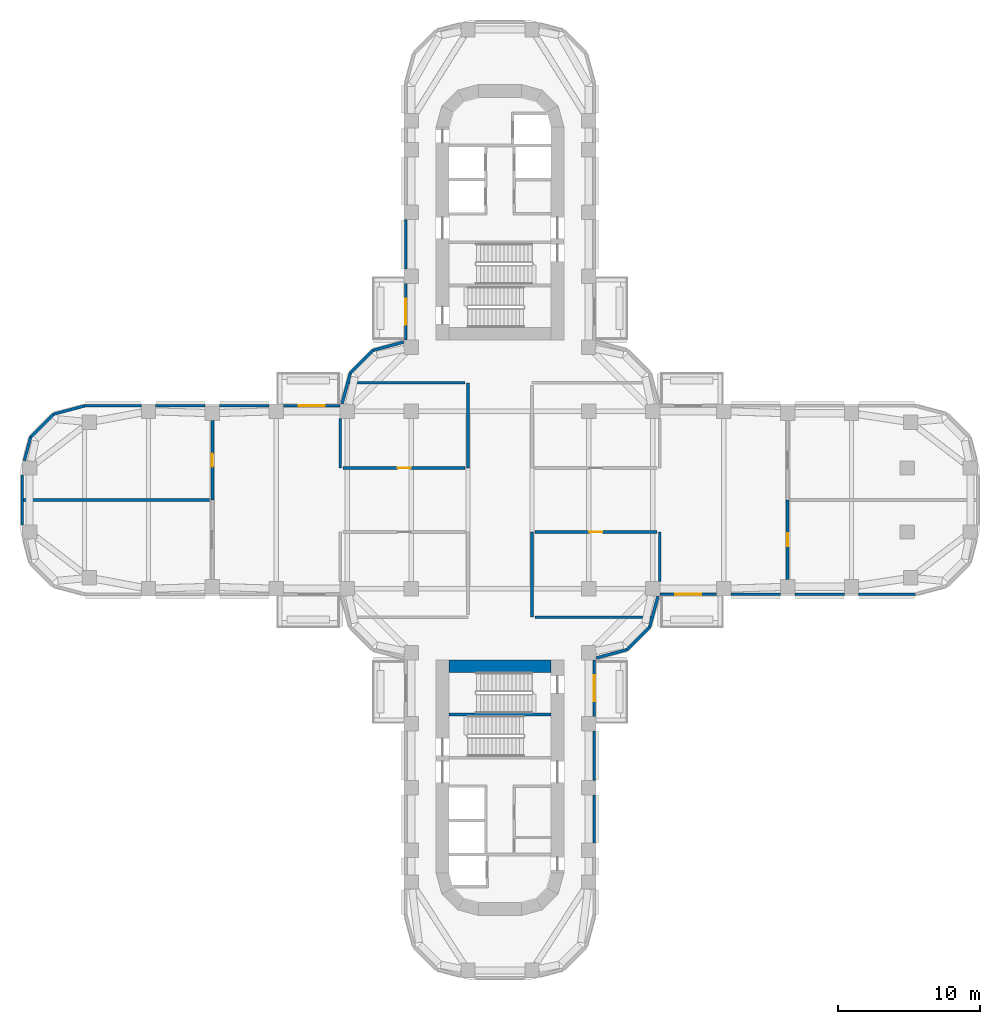
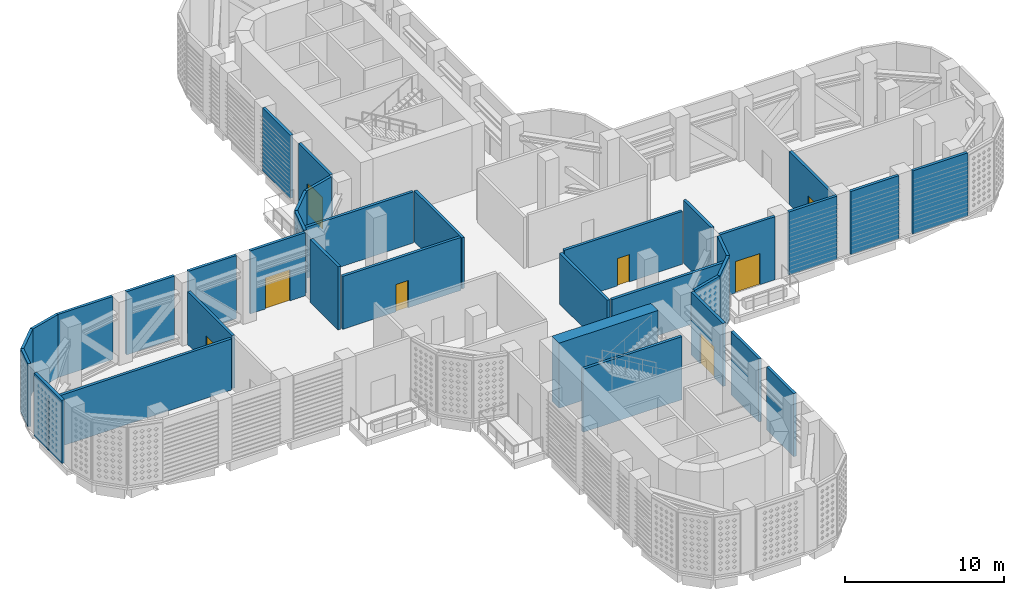
# One storey, part 6 of 20: 36 walls, 8 doors, 8 openings.
"""IFC4 building model written with IfcOpenShell, lengths in metres."""

import ifcopenshell
import ifcopenshell.guid

model = None  # the IFC model being written
_history = None  # IfcOwnerHistory: only IFC2X3 demands one
_inside = {}  # id of a spatial element -> (the spatial element, [elements in it])
_under = {}  # id of a project, library or spatial element -> (it, [spatial elements below it])
_declared = {}  # id of a project -> (the project, [libraries it declares])
_typed = {}  # id of a type object -> (the type object, [elements of that type])
_made_of = {}  # id of a material, layer set ... -> (it, [elements and type objects made of it])


def new_model(schema):
    """Start an empty IFC model of exactly this schema.

    Asked for "IFC4X3", IfcOpenShell would pick the latest addendum, in which some entities
    have other attributes; the version numbers below select the first issue.
    IFC2X3 requires an IfcOwnerHistory on every rooted entity: one is made here for all.
    """
    global model, _history
    if schema == "IFC4X3":
        model = ifcopenshell.file(schema_version=(4, 3, 0, 0))
    else:
        model = ifcopenshell.file(schema=schema)
    _inside.clear()
    _under.clear()
    _declared.clear()
    _typed.clear()
    _made_of.clear()
    _history = None
    if model.schema == "IFC2X3":
        org = make("IfcOrganization", Name="unknown")
        user = make(
            "IfcPersonAndOrganization",
            ThePerson=make("IfcPerson", FamilyName="unknown"),
            TheOrganization=org,
        )
        app = make(
            "IfcApplication",
            ApplicationDeveloper=org,
            Version="unknown",
            ApplicationFullName="unknown",
            ApplicationIdentifier="unknown",
        )
        _history = make(
            "IfcOwnerHistory",
            OwningUser=user,
            OwningApplication=app,
            ChangeAction="ADDED",
            CreationDate=0,
        )
    return model


def make(cls, **values):
    """One entity of the class cls with the attributes given. An attribute that is None is left unset."""
    return model.create_entity(
        cls, **{name: value for name, value in values.items() if value is not None}
    )


def rooted(cls, **values):
    """An entity with a GlobalId (a new one), such as an element, a storey or a relation."""
    return make(cls, GlobalId=ifcopenshell.guid.new(), OwnerHistory=_history, **values)


def si_unit(unit_type, name, prefix=None):
    """IfcSIUnit, for example si_unit("LENGTHUNIT", "METRE", prefix="MILLI")."""
    return make("IfcSIUnit", UnitType=unit_type, Prefix=prefix, Name=name)


def assignment(units):
    """IfcUnitAssignment: the units of a project."""
    return None if units is None else make("IfcUnitAssignment", Units=units)


def point(xyz):
    """IfcCartesianPoint."""
    return None if xyz is None else make("IfcCartesianPoint", Coordinates=xyz)


def direction(xyz):
    """IfcDirection."""
    return None if xyz is None else make("IfcDirection", DirectionRatios=xyz)


def frame(location, z_axis=None, x_axis=None):
    """IfcAxis2Placement3D, a coordinate frame: its origin and axes. An axis left out is left unset."""
    return make(
        "IfcAxis2Placement3D",
        Location=point(location),
        Axis=direction(z_axis),
        RefDirection=direction(x_axis),
    )


def frame_2d(location, x_axis=None):
    """IfcAxis2Placement2D, a coordinate frame in the plane: its origin and x axis."""
    return make(
        "IfcAxis2Placement2D", Location=point(location), RefDirection=direction(x_axis)
    )


def origin():
    """The frame at (0, 0, 0) with its axes left unset."""
    return frame((0.0, 0.0, 0.0))


def place(relative_to, where):
    """IfcLocalPlacement: puts the frame where relative to a parent placement (None: the world)."""
    return make(
        "IfcLocalPlacement", PlacementRelTo=relative_to, RelativePlacement=where
    )


def context(
    kind, dimensions, precision=None, world=None, true_north=None, identifier=None
):
    """IfcGeometricRepresentationContext, for example the 3D "Model" context."""
    return make(
        "IfcGeometricRepresentationContext",
        ContextIdentifier=identifier,
        ContextType=kind,
        CoordinateSpaceDimension=dimensions,
        Precision=precision,
        WorldCoordinateSystem=world,
        TrueNorth=true_north,
    )


def subcontext(parent, identifier, kind, view, scale=None):
    """IfcGeometricRepresentationSubContext, for example "Body" below "Model"."""
    return make(
        "IfcGeometricRepresentationSubContext",
        ContextIdentifier=identifier,
        ContextType=kind,
        ParentContext=parent,
        TargetScale=scale,
        TargetView=view,
    )


def project(units=None, contexts=None):
    """IfcProject with its units and contexts."""
    return rooted(
        "IfcProject",
        Name="project",
        RepresentationContexts=contexts,
        UnitsInContext=assignment(units),
    )


def spatial(cls, under=None, at=None, **own):
    """A site, building, storey or space (cls), placed at a placement, below another one or the project."""
    s = rooted(cls, ObjectPlacement=at, **own)
    if under is not None:
        _under.setdefault(under.id(), (under, []))[1].append(s)
    return s


def polyline(points):
    """IfcPolyline through the points."""
    return make("IfcPolyline", Points=[point(p) for p in points])


def profile(cls, at=None, kind="AREA", **sizes):
    """A parametric profile (cls). Its sizes go by their IFC names, for example OverallWidth=200.0."""
    return make(cls, ProfileType=kind, Position=at, **sizes)


def rectangle(**sizes):
    """IfcRectangleProfileDef."""
    return profile("IfcRectangleProfileDef", **sizes)


def outline(outer, holes=None, kind="AREA"):
    """IfcArbitraryClosedProfileDef: a profile drawn as a closed curve; with holes, ...WithVoids."""
    if holes is None:
        return make("IfcArbitraryClosedProfileDef", ProfileType=kind, OuterCurve=outer)
    return make(
        "IfcArbitraryProfileDefWithVoids",
        ProfileType=kind,
        OuterCurve=outer,
        InnerCurves=holes,
    )


def extrude(swept, where, along, depth):
    """IfcExtrudedAreaSolid: the profile swept, set in the frame where, extruded along a direction by depth."""
    return make(
        "IfcExtrudedAreaSolid",
        SweptArea=swept,
        Position=where,
        ExtrudedDirection=direction(along),
        Depth=depth,
    )


def shape(context_of_items, identifier, shape_type, items):
    """IfcShapeRepresentation: the items that make up one representation, for example the "Body"."""
    return make(
        "IfcShapeRepresentation",
        ContextOfItems=context_of_items,
        RepresentationIdentifier=identifier,
        RepresentationType=shape_type,
        Items=items,
    )


def material(Name=None, Category=None):
    """IfcMaterial."""
    return make("IfcMaterial", Name=Name, Category=Category)


def layer(
    of_material, thickness, ventilated=None, Name=None, Category=None, Priority=None
):
    """IfcMaterialLayer: one layer of a wall or slab, of a material (None: an air gap)."""
    return make(
        "IfcMaterialLayer",
        Material=of_material,
        LayerThickness=thickness,
        IsVentilated=ventilated,
        Name=Name,
        Category=Category,
        Priority=Priority,
    )


def layer_set(layers, Name=None):
    """IfcMaterialLayerSet."""
    return make("IfcMaterialLayerSet", MaterialLayers=layers, LayerSetName=Name)


def made_of(thing, what):
    """Note that an element or type object is made of a material, layer set ...; save() writes the relation."""
    if what is not None:
        _made_of.setdefault(what.id(), (what, []))[1].append(thing)
    return thing


def type_object(cls, material=None, **own):
    """A type object (cls), such as IfcWallType, which elements share."""
    return made_of(rooted(cls, **own), material)


def element(
    cls,
    number,
    at=None,
    inside=None,
    cuts=None,
    type_object=None,
    material=None,
    context=None,
    identifier="Body",
    shape_type=None,
    held_by="IfcProductDefinitionShape",
    body=None,
    shapes=None,
    **own,
):
    """One element of the class cls, such as IfcWall. Its Tag is "e" and its number.

    at: its placement. inside: the storey or other place that contains it. cuts: it is an
    opening in that element (IfcRelVoidsElement). A single representation is given by context,
    identifier, shape_type and body (its items); several are given by shapes. held_by: the class
    of the entity that holds the representations. save() writes the other relations.
    """
    e = rooted(cls, Tag="e%d" % number, ObjectPlacement=at, **own)
    if body is not None:
        shapes = [shape(context, identifier, shape_type, body)]
    if shapes is not None:
        e.Representation = make(held_by, Representations=shapes)
    if inside is not None:
        _inside.setdefault(inside.id(), (inside, []))[1].append(e)
    if cuts is not None:
        rooted(
            "IfcRelVoidsElement", RelatingBuildingElement=cuts, RelatedOpeningElement=e
        )
    if type_object is not None:
        _typed.setdefault(type_object.id(), (type_object, []))[1].append(e)
    return made_of(e, material)


def fill(opening, filler):
    """IfcRelFillsElement: the door or window that sits in an opening."""
    return rooted(
        "IfcRelFillsElement",
        RelatingOpeningElement=opening,
        RelatedBuildingElement=filler,
    )


def aggregate(whole, parts):
    """IfcRelAggregates: a whole, such as a stair, and the parts it consists of."""
    return rooted("IfcRelAggregates", RelatingObject=whole, RelatedObjects=parts)


def save(model, path):
    """Write the relations noted so far, then the file.

    IfcRelAggregates (storeys below a building ...), IfcRelContainedInSpatialStructure (elements
    in a storey), IfcRelDefinesByType, IfcRelAssociatesMaterial and IfcRelDeclares: one each for
    every whole, place, type object, material and project.
    """
    for whole, parts in _under.values():
        aggregate(whole, parts)
    for where, things in _inside.values():
        rooted(
            "IfcRelContainedInSpatialStructure",
            RelatedElements=things,
            RelatingStructure=where,
        )
    for kind, things in _typed.values():
        rooted("IfcRelDefinesByType", RelatedObjects=things, RelatingType=kind)
    for what, things in _made_of.values():
        rooted("IfcRelAssociatesMaterial", RelatedObjects=things, RelatingMaterial=what)
    for by, libraries in _declared.values():
        rooted("IfcRelDeclares", RelatingContext=by, RelatedDefinitions=libraries)
    model.write(path)


model = new_model("IFC4")

# Units and contexts
model_context = context("Model", 3, precision=1e-05, world=origin(), true_north=direction((0.0, 1.0)))
body_context = subcontext(model_context, "Body", "Model", "MODEL_VIEW")
ifc_project = project(units=[si_unit("LENGTHUNIT", "METRE"), si_unit("AREAUNIT", "SQUARE_METRE"), si_unit("VOLUMEUNIT", "CUBIC_METRE"), si_unit("PLANEANGLEUNIT", "RADIAN"), si_unit("MASSUNIT", "GRAM", prefix="KILO")], contexts=[model_context])

# Site, building, storey
site_placement = place(None, origin())
site = spatial("IfcSite", under=ifc_project, at=site_placement, CompositionType="ELEMENT")
building_placement = place(site_placement, origin())
building = spatial("IfcBuilding", under=site, at=building_placement, Name="Zarbagh Exchange Tower", CompositionType="ELEMENT")
storey_placement = place(building_placement, frame((0.0, 0.0, 81.60009765625)))
storey = spatial("IfcBuildingStorey", under=building, at=storey_placement, Name="L18", CompositionType="ELEMENT", Elevation=81.60009765625)

# Walls
ifc_material_1 = material(Name="Concrete block partition", Category="concrete")
ifc_layer_1 = layer(ifc_material_1, 0.199951171875)
ifc_layer_set_1 = layer_set([ifc_layer_1], Name="Fire-rated block partition 200 EI 120")
wall_type_1 = type_object("IfcWallType", Name="Fire-rated block partition 200 EI 120", PredefinedType="PARTITIONING", material=ifc_layer_set_1)
wall_1_placement = place(storey_placement, frame((-33.75, 0.0, 0.0), z_axis=(0.0, 0.0, 1.0), x_axis=(1.0, 0.0, 0.0)))
element("IfcWall", 1, at=wall_1_placement, inside=storey, type_object=wall_type_1, Name="WL-L18-W022", PredefinedType="PARTITIONING", context=body_context, shape_type="SweptSolid", body=[
    extrude(rectangle(XDim=13.300048828125, YDim=0.199951171875, at=frame_2d((6.64990234375, 0.0))), origin(), (0.0, 0.0, 1.0), 3.929931640625),
])
ifc_layer_2 = layer(ifc_material_1, 0.199951171875)
ifc_layer_set_2 = layer_set([ifc_layer_2], Name="Fire-rated block partition 200 EI 60")
wall_type_2 = type_object("IfcWallType", Name="Fire-rated block partition 200 EI 60", PredefinedType="PARTITIONING", material=ifc_layer_set_2)
wall_2_placement = place(storey_placement, frame((2.25, -2.25, 0.0), z_axis=(0.0, 0.0, 1.0), x_axis=(0.0, -1.0, 0.0)))
element("IfcWall", 2, at=wall_2_placement, inside=storey, type_object=wall_type_2, Name="WL-L18-W003", PredefinedType="PARTITIONING", context=body_context, shape_type="SweptSolid", body=[
    extrude(rectangle(XDim=6.0, YDim=0.199951171875, at=frame_2d((3.0, 0.0))), origin(), (0.0, 0.0, 1.0), 3.918212890625),
])
wall_3_placement = place(storey_placement, frame((2.449951171875, -8.25, 0.0), z_axis=(0.0, 0.0, 1.0), x_axis=(1.0, 0.0, 0.0)))
element("IfcWall", 3, at=wall_3_placement, inside=storey, type_object=wall_type_2, Name="WL-L18-W004", PredefinedType="PARTITIONING", context=body_context, shape_type="SweptSolid", body=[
    extrude(rectangle(XDim=8.398193359375, YDim=0.199951171875, at=frame_2d((4.19921875, 0.0))), origin(), (0.0, 0.0, 1.0), 3.929931640625),
])
wall_4_placement = place(storey_placement, frame((-2.25, 2.25, 0.0), z_axis=(0.0, 0.0, 1.0), x_axis=(0.0, 1.0, 0.0)))
element("IfcWall", 4, at=wall_4_placement, inside=storey, type_object=wall_type_2, Name="WL-L18-W005", PredefinedType="PARTITIONING", context=body_context, shape_type="SweptSolid", body=[
    extrude(rectangle(XDim=6.0, YDim=0.199951171875, at=frame_2d((3.0, 0.0))), origin(), (0.0, 0.0, 1.0), 3.918212890625),
])
wall_5_placement = place(storey_placement, frame((-2.449951171875, 8.25, 0.0), z_axis=(0.0, 0.0, 1.0), x_axis=(-1.0, 0.0, 0.0)))
element("IfcWall", 5, at=wall_5_placement, inside=storey, type_object=wall_type_2, Name="WL-L18-W006", PredefinedType="PARTITIONING", context=body_context, shape_type="SweptSolid", body=[
    extrude(rectangle(XDim=8.398193359375, YDim=0.199951171875, at=frame_2d((4.19921875, 0.0))), origin(), (0.0, 0.0, 1.0), 3.929931640625),
])
wall_6_placement = place(storey_placement, frame((11.25, -2.25, 0.0), z_axis=(0.0, 0.0, 1.0), x_axis=(0.0, -1.0, 0.0)))
element("IfcWall", 6, at=wall_6_placement, inside=storey, type_object=wall_type_2, Name="WL-L18-W011", PredefinedType="PARTITIONING", context=body_context, shape_type="SweptSolid", body=[
    extrude(rectangle(XDim=3.5, YDim=0.199951171875, at=frame_2d((1.75, 0.0))), origin(), (0.0, 0.0, 1.0), 4.849853515625),
])

# Wall, opening, door
wall_7_placement = place(storey_placement, frame((11.050048828125, -2.25, 0.0), z_axis=(0.0, 0.0, 1.0), x_axis=(-1.0, 0.0, 0.0)))
wall_7 = element("IfcWall", 7, at=wall_7_placement, inside=storey, type_object=wall_type_2, Name="WL-L18-W012", PredefinedType="PARTITIONING", context=body_context, shape_type="SweptSolid", body=[
    extrude(rectangle(XDim=8.60009765625, YDim=0.199951171875, at=frame_2d((4.300048828125, 0.0))), origin(), (0.0, 0.0, 1.0), 4.072998046875),
])
opening_1_placement = place(wall_7_placement, frame((3.85009765625, 0.0, 0.0)))
opening_1 = element("IfcOpeningElement", 8, at=opening_1_placement, cuts=wall_7, Name="Opening D02", PredefinedType="OPENING", context=body_context, shape_type="SweptSolid", body=[
    extrude(rectangle(XDim=0.89990234375, YDim=2.10009765625, at=frame_2d((0.449951171875, 1.050048828125))), frame((0.0, 0.10986328125, 0.0), z_axis=(0.0, -1.0, 0.0), x_axis=(1.0, 0.0, 0.0)), (0.0, 0.0, 1.0), 0.219970703125),
])
ifc_material_2 = material(Name="Steel door set", Category="steel")
door_type_1 = type_object("IfcDoorType", Name="Door single 900x2100 EI 60", OperationType="SINGLE_SWING_LEFT", PredefinedType="DOOR", material=ifc_material_2)
door_1_placement = place(opening_1_placement, origin())
door_1 = element("IfcDoor", 9, at=door_1_placement, inside=storey, type_object=door_type_1, Name="D02", OperationType="SINGLE_SWING_LEFT", OverallHeight=2.10009765625, OverallWidth=0.89990234375, PredefinedType="DOOR", context=body_context, shape_type="SweptSolid", body=[
    extrude(rectangle(XDim=0.89990234375, YDim=2.10009765625, at=frame_2d((0.449951171875, 1.050048828125))), frame((0.0, 0.02490234375, 0.0), z_axis=(0.0, -1.0, 0.0), x_axis=(1.0, 0.0, 0.0)), (0.0, 0.0, 1.0), 0.050048828125),
])
fill(opening_1, door_1)

# Wall
wall_8_placement = place(storey_placement, frame((-11.25, 2.25, 0.0), z_axis=(0.0, 0.0, 1.0), x_axis=(0.0, 1.0, 0.0)))
element("IfcWall", 10, at=wall_8_placement, inside=storey, type_object=wall_type_2, Name="WL-L18-W013", PredefinedType="PARTITIONING", context=body_context, shape_type="SweptSolid", body=[
    extrude(rectangle(XDim=3.5, YDim=0.199951171875, at=frame_2d((1.75, 0.0))), origin(), (0.0, 0.0, 1.0), 4.849853515625),
])

# Wall, opening, door
wall_9_placement = place(storey_placement, frame((-11.050048828125, 2.25, 0.0), z_axis=(0.0, 0.0, 1.0), x_axis=(1.0, 0.0, 0.0)))
wall_9 = element("IfcWall", 11, at=wall_9_placement, inside=storey, type_object=wall_type_2, Name="WL-L18-W014", PredefinedType="PARTITIONING", context=body_context, shape_type="SweptSolid", body=[
    extrude(rectangle(XDim=8.60009765625, YDim=0.199951171875, at=frame_2d((4.300048828125, 0.0))), origin(), (0.0, 0.0, 1.0), 4.072998046875),
])
opening_2_placement = place(wall_9_placement, frame((3.85009765625, 0.0, 0.0)))
opening_2 = element("IfcOpeningElement", 12, at=opening_2_placement, cuts=wall_9, Name="Opening D03", PredefinedType="OPENING", context=body_context, shape_type="SweptSolid", body=[
    extrude(rectangle(XDim=0.89990234375, YDim=2.10009765625, at=frame_2d((0.449951171875, 1.050048828125))), frame((0.0, 0.10986328125, 0.0), z_axis=(0.0, -1.0, 0.0), x_axis=(1.0, 0.0, 0.0)), (0.0, 0.0, 1.0), 0.219970703125),
])
door_2_placement = place(opening_2_placement, origin())
door_2 = element("IfcDoor", 13, at=door_2_placement, inside=storey, type_object=door_type_1, Name="D03", OperationType="SINGLE_SWING_LEFT", OverallHeight=2.10009765625, OverallWidth=0.89990234375, PredefinedType="DOOR", context=body_context, shape_type="SweptSolid", body=[
    extrude(rectangle(XDim=0.89990234375, YDim=2.10009765625, at=frame_2d((0.449951171875, 1.050048828125))), frame((0.0, 0.02490234375, 0.0), z_axis=(0.0, -1.0, 0.0), x_axis=(1.0, 0.0, 0.0)), (0.0, 0.0, 1.0), 0.050048828125),
])
fill(opening_2, door_2)

wall_10_placement = place(storey_placement, frame((20.25, 0.0, 0.0), z_axis=(0.0, 0.0, 1.0), x_axis=(0.0, -1.0, 0.0)))
wall_10 = element("IfcWall", 14, at=wall_10_placement, inside=storey, type_object=wall_type_2, Name="WL-L18-W018", PredefinedType="PARTITIONING", context=body_context, shape_type="SweptSolid", body=[
    extrude(rectangle(XDim=5.610107421875, YDim=0.199951171875, at=frame_2d((2.80517578125, 0.0))), origin(), (0.0, 0.0, 1.0), 4.072998046875),
])
opening_3_placement = place(wall_10_placement, frame((2.35498046875, 0.0, 0.0)))
opening_3 = element("IfcOpeningElement", 15, at=opening_3_placement, cuts=wall_10, Name="Opening D06", PredefinedType="OPENING", context=body_context, shape_type="SweptSolid", body=[
    extrude(rectangle(XDim=0.89990234375, YDim=2.10009765625, at=frame_2d((0.449951171875, 1.050048828125))), frame((0.0, 0.10986328125, 0.0), z_axis=(0.0, -1.0, 0.0), x_axis=(1.0, 0.0, 0.0)), (0.0, 0.0, 1.0), 0.219970703125),
])
door_3_placement = place(opening_3_placement, origin())
door_3 = element("IfcDoor", 16, at=door_3_placement, inside=storey, type_object=door_type_1, Name="D06", OperationType="SINGLE_SWING_LEFT", OverallHeight=2.10009765625, OverallWidth=0.89990234375, PredefinedType="DOOR", context=body_context, shape_type="SweptSolid", body=[
    extrude(rectangle(XDim=0.89990234375, YDim=2.10009765625, at=frame_2d((0.449951171875, 1.050048828125))), frame((0.0, 0.02490234375, 0.0), z_axis=(0.0, -1.0, 0.0), x_axis=(1.0, 0.0, 0.0)), (0.0, 0.0, 1.0), 0.050048828125),
])
fill(opening_3, door_3)

wall_11_placement = place(storey_placement, frame((-20.25, 0.0, 0.0), z_axis=(0.0, 0.0, 1.0), x_axis=(0.0, 1.0, 0.0)))
wall_11 = element("IfcWall", 17, at=wall_11_placement, inside=storey, type_object=wall_type_2, Name="WL-L18-W021", PredefinedType="PARTITIONING", context=body_context, shape_type="SweptSolid", body=[
    extrude(rectangle(XDim=5.610107421875, YDim=0.199951171875, at=frame_2d((2.80517578125, 0.0))), origin(), (0.0, 0.0, 1.0), 4.072998046875),
])
opening_4_placement = place(wall_11_placement, frame((2.35498046875, 0.0, 0.0)))
opening_4 = element("IfcOpeningElement", 18, at=opening_4_placement, cuts=wall_11, Name="Opening D08", PredefinedType="OPENING", context=body_context, shape_type="SweptSolid", body=[
    extrude(rectangle(XDim=0.89990234375, YDim=2.10009765625, at=frame_2d((0.449951171875, 1.050048828125))), frame((0.0, 0.10986328125, 0.0), z_axis=(0.0, -1.0, 0.0), x_axis=(1.0, 0.0, 0.0)), (0.0, 0.0, 1.0), 0.219970703125),
])
door_4_placement = place(opening_4_placement, origin())
door_4 = element("IfcDoor", 19, at=door_4_placement, inside=storey, type_object=door_type_1, Name="D08", OperationType="SINGLE_SWING_LEFT", OverallHeight=2.10009765625, OverallWidth=0.89990234375, PredefinedType="DOOR", context=body_context, shape_type="SweptSolid", body=[
    extrude(rectangle(XDim=0.89990234375, YDim=2.10009765625, at=frame_2d((0.449951171875, 1.050048828125))), frame((0.0, 0.02490234375, 0.0), z_axis=(0.0, -1.0, 0.0), x_axis=(1.0, 0.0, 0.0)), (0.0, 0.0, 1.0), 0.050048828125),
])
fill(opening_4, door_4)

# Walls
ifc_material_3 = material(Name="Precast concrete C50/60", Category="concrete")
ifc_layer_3 = layer(ifc_material_3, 0.199951171875)
ifc_layer_set_3 = layer_set([ifc_layer_3], Name="Plant wall, precast concrete C50/60")
wall_type_3 = type_object("IfcWallType", Name="Plant wall, precast concrete C50/60", PredefinedType="SOLIDWALL", material=ifc_layer_set_3)
wall_12_placement = place(storey_placement, origin())
element("IfcWall", 20, at=wall_12_placement, inside=storey, type_object=wall_type_3, Name="PW04 plant wall", PredefinedType="SOLIDWALL", context=body_context, shape_type="SweptSolid", body=[
    extrude(outline(polyline([(6.72998046875, -24.14990234375), (6.72998046875, -20.75), (6.530029296875, -20.75), (6.530029296875, -24.14990234375), (6.72998046875, -24.14990234375)])), origin(), (0.0, 0.0, 1.0), 4.849853515625),
])
wall_13_placement = place(storey_placement, origin())
element("IfcWall", 21, at=wall_13_placement, inside=storey, type_object=wall_type_3, Name="PW04 plant wall", PredefinedType="SOLIDWALL", context=body_context, shape_type="SweptSolid", body=[
    extrude(outline(polyline([(6.72998046875, -19.75), (6.72998046875, -16.25), (6.530029296875, -16.25), (6.530029296875, -19.75), (6.72998046875, -19.75)])), origin(), (0.0, 0.0, 1.0), 4.849853515625),
])
wall_14_placement = place(storey_placement, origin())
element("IfcWall", 22, at=wall_14_placement, inside=storey, type_object=wall_type_3, Name="PW05 plant wall", PredefinedType="SOLIDWALL", context=body_context, shape_type="SweptSolid", body=[
    extrude(outline(polyline([(6.80224609375, -11.21533203125), (8.98974609375, -10.629150390625), (8.88623046875, -10.449951171875), (6.75048828125, -11.02197265625), (6.80224609375, -11.21533203125)])), origin(), (0.0, 0.0, 1.0), 4.849853515625),
])
wall_15_placement = place(storey_placement, origin())
element("IfcWall", 23, at=wall_15_placement, inside=storey, type_object=wall_type_3, Name="PW06 plant wall", PredefinedType="SOLIDWALL", context=body_context, shape_type="SweptSolid", body=[
    extrude(outline(polyline([(8.98974609375, -10.629150390625), (10.629150390625, -8.98974609375), (10.449951171875, -8.88623046875), (8.88623046875, -10.449951171875), (8.98974609375, -10.629150390625)])), origin(), (0.0, 0.0, 1.0), 4.849853515625),
])
wall_16_placement = place(storey_placement, origin())
element("IfcWall", 24, at=wall_16_placement, inside=storey, type_object=wall_type_3, Name="PW07 plant wall", PredefinedType="SOLIDWALL", context=body_context, shape_type="SweptSolid", body=[
    extrude(outline(polyline([(10.629150390625, -8.98974609375), (11.21533203125, -6.80224609375), (11.02197265625, -6.75048828125), (10.449951171875, -8.88623046875), (10.629150390625, -8.98974609375)])), origin(), (0.0, 0.0, 1.0), 4.849853515625),
])
wall_17_placement = place(storey_placement, origin())
element("IfcWall", 25, at=wall_17_placement, inside=storey, type_object=wall_type_3, Name="PW08 plant wall", PredefinedType="SOLIDWALL", context=body_context, shape_type="SweptSolid", body=[
    extrude(outline(polyline([(16.25, -6.72998046875), (19.75, -6.72998046875), (19.75, -6.530029296875), (16.25, -6.530029296875), (16.25, -6.72998046875)])), origin(), (0.0, 0.0, 1.0), 4.849853515625),
])
wall_18_placement = place(storey_placement, origin())
element("IfcWall", 26, at=wall_18_placement, inside=storey, type_object=wall_type_3, Name="PW08 plant wall", PredefinedType="SOLIDWALL", context=body_context, shape_type="SweptSolid", body=[
    extrude(outline(polyline([(20.75, -6.72998046875), (24.25, -6.72998046875), (24.25, -6.530029296875), (20.75, -6.530029296875), (20.75, -6.72998046875)])), origin(), (0.0, 0.0, 1.0), 4.849853515625),
])
wall_19_placement = place(storey_placement, origin())
element("IfcWall", 27, at=wall_19_placement, inside=storey, type_object=wall_type_3, Name="PW08 plant wall", PredefinedType="SOLIDWALL", context=body_context, shape_type="SweptSolid", body=[
    extrude(outline(polyline([(25.25, -6.72998046875), (29.247314453125, -6.72998046875), (29.220947265625, -6.530029296875), (25.25, -6.530029296875), (25.25, -6.72998046875)])), origin(), (0.0, 0.0, 1.0), 4.849853515625),
])
wall_20_placement = place(storey_placement, origin())
element("IfcWall", 28, at=wall_20_placement, inside=storey, type_object=wall_type_3, Name="PW28 plant wall", PredefinedType="SOLIDWALL", context=body_context, shape_type="SweptSolid", body=[
    extrude(outline(polyline([(-6.72998046875, 19.75), (-6.72998046875, 16.25), (-6.530029296875, 16.25), (-6.530029296875, 19.75), (-6.72998046875, 19.75)])), origin(), (0.0, 0.0, 1.0), 4.849853515625),
])
wall_21_placement = place(storey_placement, origin())
element("IfcWall", 29, at=wall_21_placement, inside=storey, type_object=wall_type_3, Name="PW29 plant wall", PredefinedType="SOLIDWALL", context=body_context, shape_type="SweptSolid", body=[
    extrude(outline(polyline([(-6.80224609375, 11.21533203125), (-8.98974609375, 10.629150390625), (-8.88623046875, 10.449951171875), (-6.75048828125, 11.02197265625), (-6.80224609375, 11.21533203125)])), origin(), (0.0, 0.0, 1.0), 4.849853515625),
])
wall_22_placement = place(storey_placement, origin())
element("IfcWall", 30, at=wall_22_placement, inside=storey, type_object=wall_type_3, Name="PW30 plant wall", PredefinedType="SOLIDWALL", context=body_context, shape_type="SweptSolid", body=[
    extrude(outline(polyline([(-8.98974609375, 10.629150390625), (-10.629150390625, 8.98974609375), (-10.449951171875, 8.88623046875), (-8.88623046875, 10.449951171875), (-8.98974609375, 10.629150390625)])), origin(), (0.0, 0.0, 1.0), 4.849853515625),
])
wall_23_placement = place(storey_placement, origin())
element("IfcWall", 31, at=wall_23_placement, inside=storey, type_object=wall_type_3, Name="PW31 plant wall", PredefinedType="SOLIDWALL", context=body_context, shape_type="SweptSolid", body=[
    extrude(outline(polyline([(-10.629150390625, 8.98974609375), (-11.21533203125, 6.80224609375), (-11.02197265625, 6.75048828125), (-10.449951171875, 8.88623046875), (-10.629150390625, 8.98974609375)])), origin(), (0.0, 0.0, 1.0), 4.849853515625),
])
wall_24_placement = place(storey_placement, origin())
element("IfcWall", 32, at=wall_24_placement, inside=storey, type_object=wall_type_3, Name="PW32 plant wall", PredefinedType="SOLIDWALL", context=body_context, shape_type="SweptSolid", body=[
    extrude(outline(polyline([(-16.25, 6.72998046875), (-19.75, 6.72998046875), (-19.75, 6.530029296875), (-16.25, 6.530029296875), (-16.25, 6.72998046875)])), origin(), (0.0, 0.0, 1.0), 4.849853515625),
])
wall_25_placement = place(storey_placement, origin())
element("IfcWall", 33, at=wall_25_placement, inside=storey, type_object=wall_type_3, Name="PW32 plant wall", PredefinedType="SOLIDWALL", context=body_context, shape_type="SweptSolid", body=[
    extrude(outline(polyline([(-20.75, 6.72998046875), (-24.25, 6.72998046875), (-24.25, 6.530029296875), (-20.75, 6.530029296875), (-20.75, 6.72998046875)])), origin(), (0.0, 0.0, 1.0), 4.849853515625),
])
wall_26_placement = place(storey_placement, origin())
element("IfcWall", 34, at=wall_26_placement, inside=storey, type_object=wall_type_3, Name="PW32 plant wall", PredefinedType="SOLIDWALL", context=body_context, shape_type="SweptSolid", body=[
    extrude(outline(polyline([(-25.25, 6.72998046875), (-29.247314453125, 6.72998046875), (-29.220947265625, 6.530029296875), (-25.25, 6.530029296875), (-25.25, 6.72998046875)])), origin(), (0.0, 0.0, 1.0), 4.849853515625),
])
wall_27_placement = place(storey_placement, origin())
element("IfcWall", 35, at=wall_27_placement, inside=storey, type_object=wall_type_3, Name="PW33 plant wall", PredefinedType="SOLIDWALL", context=body_context, shape_type="SweptSolid", body=[
    extrude(outline(polyline([(-29.247314453125, 6.72998046875), (-31.48974609375, 6.129150390625), (-31.38623046875, 5.949951171875), (-29.220947265625, 6.530029296875), (-29.247314453125, 6.72998046875)])), origin(), (0.0, 0.0, 1.0), 4.849853515625),
])
wall_28_placement = place(storey_placement, origin())
element("IfcWall", 36, at=wall_28_placement, inside=storey, type_object=wall_type_3, Name="PW34 plant wall", PredefinedType="SOLIDWALL", context=body_context, shape_type="SweptSolid", body=[
    extrude(outline(polyline([(-31.48974609375, 6.129150390625), (-33.129150390625, 4.48974609375), (-32.949951171875, 4.38623046875), (-31.38623046875, 5.949951171875), (-31.48974609375, 6.129150390625)])), origin(), (0.0, 0.0, 1.0), 4.849853515625),
])
wall_29_placement = place(storey_placement, origin())
element("IfcWall", 37, at=wall_29_placement, inside=storey, type_object=wall_type_3, Name="PW35 plant wall", PredefinedType="SOLIDWALL", context=body_context, shape_type="SweptSolid", body=[
    extrude(outline(polyline([(-33.129150390625, 4.48974609375), (-33.581298828125, 2.802490234375), (-33.38818359375, 2.750732421875), (-32.949951171875, 4.38623046875), (-33.129150390625, 4.48974609375)])), origin(), (0.0, 0.0, 1.0), 4.849853515625),
])
wall_30_placement = place(storey_placement, origin())
element("IfcWall", 38, at=wall_30_placement, inside=storey, type_object=wall_type_3, Name="PW36 plant wall", PredefinedType="SOLIDWALL", context=body_context, shape_type="SweptSolid", body=[
    extrude(outline(polyline([(-33.72998046875, 1.75), (-33.72998046875, -1.75), (-33.530029296875, -1.75), (-33.530029296875, 1.75), (-33.72998046875, 1.75)])), origin(), (0.0, 0.0, 1.0), 4.849853515625),
])
ifc_material_4 = material(Name="Concrete C60/75", Category="concrete")
ifc_layer_4 = layer(ifc_material_4, 0.89990234375)
ifc_layer_set_4 = layer_set([ifc_layer_4], Name="RC core wall 900 C60/75")
wall_type_4 = type_object("IfcWallType", Name="RC core wall 900 C60/75", PredefinedType="SHEAR", material=ifc_layer_set_4)
wall_31_placement = place(storey_placement, frame((-3.60009765625, -11.699951171875, 0.0), z_axis=(0.0, 0.0, 1.0), x_axis=(1.0, 0.0, 0.0)))
element("IfcWall", 39, at=wall_31_placement, inside=storey, type_object=wall_type_4, Name="CW1 core S inner end", PredefinedType="SHEAR", context=body_context, shape_type="SweptSolid", body=[
    extrude(rectangle(XDim=7.2001953125, YDim=0.89990234375, at=frame_2d((3.60009765625, 0.0))), origin(), (0.0, 0.0, 1.0), 5.0),
])
ifc_material_5 = material(Name="Concrete C40/50", Category="concrete")
ifc_layer_5 = layer(ifc_material_5, 0.199951171875)
ifc_layer_set_5 = layer_set([ifc_layer_5], Name="Stair enclosure wall 200 mm RC C40/50")
wall_type_5 = type_object("IfcWallType", Name="Stair enclosure wall 200 mm RC C40/50", PredefinedType="SHEAR", material=ifc_layer_set_5)
wall_32_placement = place(storey_placement, frame((3.60009765625, -15.10009765625, 0.0), z_axis=(0.0, 0.0, 1.0), x_axis=(-1.0, 0.0, 0.0)))
element("IfcWall", 40, at=wall_32_placement, inside=storey, type_object=wall_type_5, Name="South core stair wall ST12", PredefinedType="SHEAR", context=body_context, shape_type="SweptSolid", body=[
    extrude(rectangle(XDim=7.2001953125, YDim=0.199951171875, at=frame_2d((3.60009765625, 0.0))), origin(), (0.0, 0.0, 1.0), 4.849853515625),
])

# Wall, opening, door
ifc_layer_6 = layer(ifc_material_3, 0.199951171875)
ifc_layer_set_6 = layer_set([ifc_layer_6], Name="Terrace door wall, precast concrete C50/60")
wall_type_6 = type_object("IfcWallType", Name="Terrace door wall, precast concrete C50/60", PredefinedType="SOLIDWALL", material=ifc_layer_set_6)
wall_33_placement = place(storey_placement, frame((6.6298828125, -15.25, 0.0), z_axis=(0.0, 0.0, 1.0), x_axis=(0.0, 1.0, 0.0)))
wall_33 = element("IfcWall", 41, at=wall_33_placement, inside=storey, type_object=wall_type_6, Name="TW34 door wall", PredefinedType="SOLIDWALL", context=body_context, shape_type="SweptSolid", body=[
    extrude(rectangle(XDim=4.0, YDim=0.199951171875, at=frame_2d((2.0, 0.0))), origin(), (0.0, 0.0, 1.0), 4.849853515625),
])
opening_5_placement = place(wall_33_placement, frame((1.10009765625, 0.0, 0.0)))
opening_5 = element("IfcOpeningElement", 42, at=opening_5_placement, cuts=wall_33, Name="Opening TD02", PredefinedType="OPENING", context=body_context, shape_type="SweptSolid", body=[
    extrude(rectangle(XDim=1.800048828125, YDim=2.39990234375, at=frame_2d((0.89990234375, 1.199951171875))), frame((0.0, 0.10986328125, 0.0), z_axis=(0.0, -1.0, 0.0), x_axis=(1.0, 0.0, 0.0)), (0.0, 0.0, 1.0), 0.219970703125),
])
ifc_material_6 = material(Name="Anodised aluminium and glass", Category="aluminium")
door_type_2 = type_object("IfcDoorType", Name="Terrace door, double leaf, aluminium and glass", OperationType="DOUBLE_DOOR_DOUBLE_SWING", PredefinedType="DOOR", material=ifc_material_6)
door_5_placement = place(opening_5_placement, origin())
door_5 = element("IfcDoor", 43, at=door_5_placement, inside=storey, type_object=door_type_2, Name="TD02 terrace door", OperationType="SINGLE_SWING_LEFT", OverallHeight=2.39990234375, OverallWidth=1.800048828125, PredefinedType="DOOR", context=body_context, shape_type="SweptSolid", body=[
    extrude(rectangle(XDim=1.800048828125, YDim=2.39990234375, at=frame_2d((0.89990234375, 1.199951171875))), frame((0.0, 0.02490234375, 0.0), z_axis=(0.0, -1.0, 0.0), x_axis=(1.0, 0.0, 0.0)), (0.0, 0.0, 1.0), 0.050048828125),
])
fill(opening_5, door_5)

wall_34_placement = place(storey_placement, frame((11.25, -6.6298828125, 0.0), z_axis=(0.0, 0.0, 1.0), x_axis=(1.0, 0.0, 0.0)))
wall_34 = element("IfcWall", 44, at=wall_34_placement, inside=storey, type_object=wall_type_6, Name="TW35 door wall", PredefinedType="SOLIDWALL", context=body_context, shape_type="SweptSolid", body=[
    extrude(rectangle(XDim=4.0, YDim=0.199951171875, at=frame_2d((2.0, 0.0))), origin(), (0.0, 0.0, 1.0), 4.849853515625),
])
opening_6_placement = place(wall_34_placement, frame((1.10009765625, 0.0, 0.0)))
opening_6 = element("IfcOpeningElement", 45, at=opening_6_placement, cuts=wall_34, Name="Opening TD02", PredefinedType="OPENING", context=body_context, shape_type="SweptSolid", body=[
    extrude(rectangle(XDim=1.800048828125, YDim=2.39990234375, at=frame_2d((0.89990234375, 1.199951171875))), frame((0.0, 0.10986328125, 0.0), z_axis=(0.0, -1.0, 0.0), x_axis=(1.0, 0.0, 0.0)), (0.0, 0.0, 1.0), 0.219970703125),
])
door_6_placement = place(opening_6_placement, origin())
door_6 = element("IfcDoor", 46, at=door_6_placement, inside=storey, type_object=door_type_2, Name="TD02 terrace door", OperationType="SINGLE_SWING_LEFT", OverallHeight=2.39990234375, OverallWidth=1.800048828125, PredefinedType="DOOR", context=body_context, shape_type="SweptSolid", body=[
    extrude(rectangle(XDim=1.800048828125, YDim=2.39990234375, at=frame_2d((0.89990234375, 1.199951171875))), frame((0.0, 0.02490234375, 0.0), z_axis=(0.0, -1.0, 0.0), x_axis=(1.0, 0.0, 0.0)), (0.0, 0.0, 1.0), 0.050048828125),
])
fill(opening_6, door_6)

wall_35_placement = place(storey_placement, frame((-6.6298828125, 15.25, 0.0), z_axis=(0.0, 0.0, 1.0), x_axis=(0.0, -1.0, 0.0)))
wall_35 = element("IfcWall", 47, at=wall_35_placement, inside=storey, type_object=wall_type_6, Name="TW38 door wall", PredefinedType="SOLIDWALL", context=body_context, shape_type="SweptSolid", body=[
    extrude(rectangle(XDim=4.0, YDim=0.199951171875, at=frame_2d((2.0, 0.0))), origin(), (0.0, 0.0, 1.0), 4.849853515625),
])
opening_7_placement = place(wall_35_placement, frame((1.10009765625, 0.0, 0.0)))
opening_7 = element("IfcOpeningElement", 48, at=opening_7_placement, cuts=wall_35, Name="Opening TD02", PredefinedType="OPENING", context=body_context, shape_type="SweptSolid", body=[
    extrude(rectangle(XDim=1.800048828125, YDim=2.39990234375, at=frame_2d((0.89990234375, 1.199951171875))), frame((0.0, 0.10986328125, 0.0), z_axis=(0.0, -1.0, 0.0), x_axis=(1.0, 0.0, 0.0)), (0.0, 0.0, 1.0), 0.219970703125),
])
door_7_placement = place(opening_7_placement, origin())
door_7 = element("IfcDoor", 49, at=door_7_placement, inside=storey, type_object=door_type_2, Name="TD02 terrace door", OperationType="SINGLE_SWING_LEFT", OverallHeight=2.39990234375, OverallWidth=1.800048828125, PredefinedType="DOOR", context=body_context, shape_type="SweptSolid", body=[
    extrude(rectangle(XDim=1.800048828125, YDim=2.39990234375, at=frame_2d((0.89990234375, 1.199951171875))), frame((0.0, 0.02490234375, 0.0), z_axis=(0.0, -1.0, 0.0), x_axis=(1.0, 0.0, 0.0)), (0.0, 0.0, 1.0), 0.050048828125),
])
fill(opening_7, door_7)

wall_36_placement = place(storey_placement, frame((-11.25, 6.6298828125, 0.0), z_axis=(0.0, 0.0, 1.0), x_axis=(-1.0, 0.0, 0.0)))
wall_36 = element("IfcWall", 50, at=wall_36_placement, inside=storey, type_object=wall_type_6, Name="TW39 door wall", PredefinedType="SOLIDWALL", context=body_context, shape_type="SweptSolid", body=[
    extrude(rectangle(XDim=4.0, YDim=0.199951171875, at=frame_2d((2.0, 0.0))), origin(), (0.0, 0.0, 1.0), 4.849853515625),
])
opening_8_placement = place(wall_36_placement, frame((1.10009765625, 0.0, 0.0)))
opening_8 = element("IfcOpeningElement", 51, at=opening_8_placement, cuts=wall_36, Name="Opening TD02", PredefinedType="OPENING", context=body_context, shape_type="SweptSolid", body=[
    extrude(rectangle(XDim=1.800048828125, YDim=2.39990234375, at=frame_2d((0.89990234375, 1.199951171875))), frame((0.0, 0.10986328125, 0.0), z_axis=(0.0, -1.0, 0.0), x_axis=(1.0, 0.0, 0.0)), (0.0, 0.0, 1.0), 0.219970703125),
])
door_8_placement = place(opening_8_placement, origin())
door_8 = element("IfcDoor", 52, at=door_8_placement, inside=storey, type_object=door_type_2, Name="TD02 terrace door", OperationType="SINGLE_SWING_LEFT", OverallHeight=2.39990234375, OverallWidth=1.800048828125, PredefinedType="DOOR", context=body_context, shape_type="SweptSolid", body=[
    extrude(rectangle(XDim=1.800048828125, YDim=2.39990234375, at=frame_2d((0.89990234375, 1.199951171875))), frame((0.0, 0.02490234375, 0.0), z_axis=(0.0, -1.0, 0.0), x_axis=(1.0, 0.0, 0.0)), (0.0, 0.0, 1.0), 0.050048828125),
])
fill(opening_8, door_8)

save(model, "model.ifc")
